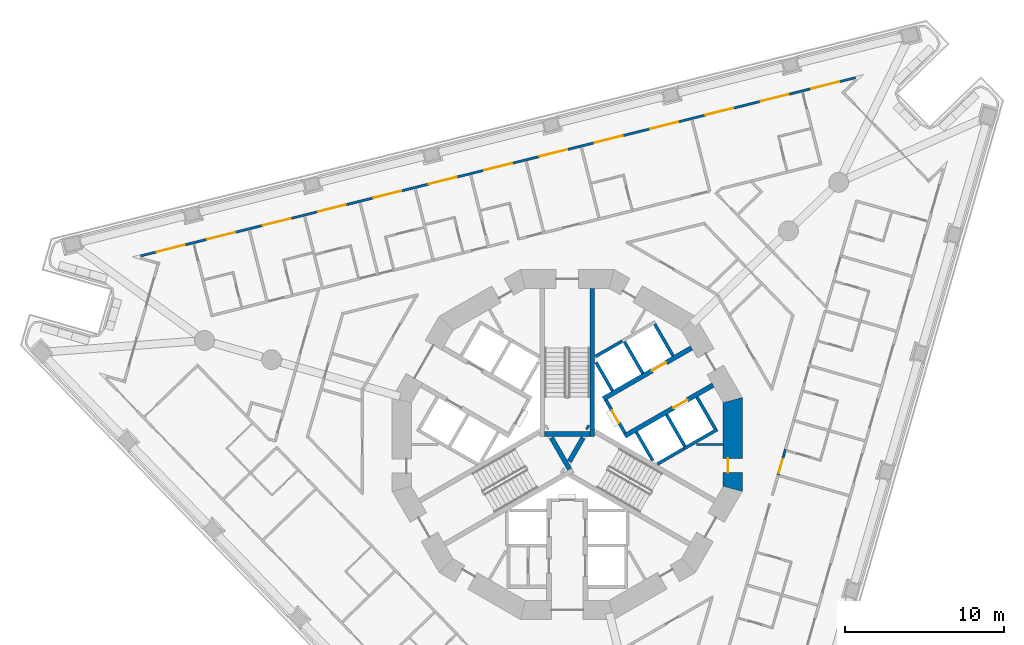
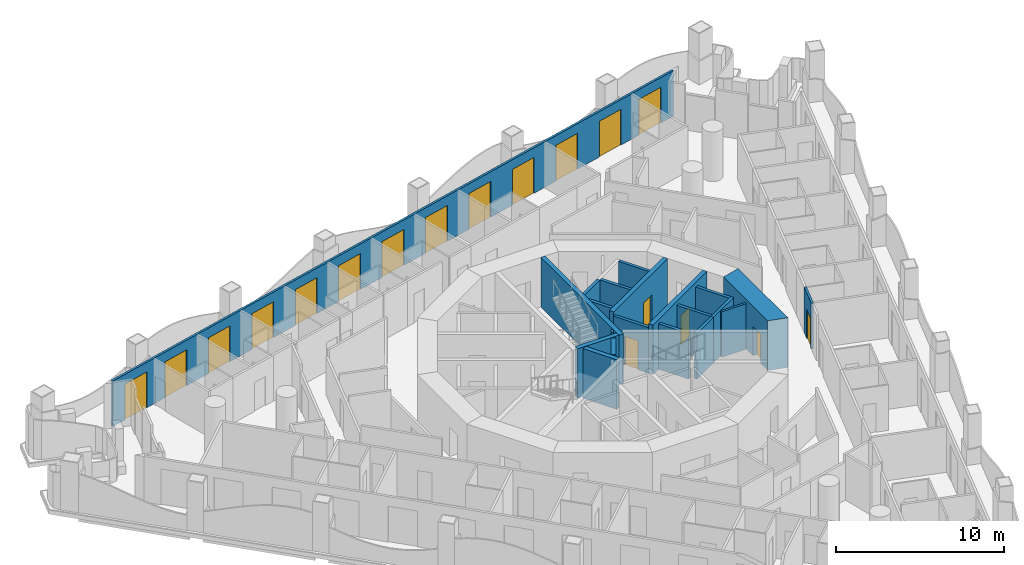
# One storey, part 9 of 20: 21 walls, 18 doors, 18 openings.
"""IFC4 building model written with IfcOpenShell, lengths in metres."""

from ifc_helpers import new_model, si_unit, direction, frame, frame_2d, origin, place, context, subcontext, project, spatial, polyline, rectangle, outline, extrude, material, layer, layer_set, type_object, element, fill, save


model = new_model("IFC4")

# Units and contexts
model_context = context("Model", 3, precision=1e-05, world=origin(), true_north=direction((0.0, 1.0)))
body_context = subcontext(model_context, "Body", "Model", "MODEL_VIEW")
ifc_project = project(units=[si_unit("LENGTHUNIT", "METRE"), si_unit("AREAUNIT", "SQUARE_METRE"), si_unit("VOLUMEUNIT", "CUBIC_METRE"), si_unit("PLANEANGLEUNIT", "RADIAN"), si_unit("MASSUNIT", "GRAM", prefix="KILO")], contexts=[model_context])

# Site, building, storey
site_placement = place(None, origin())
site = spatial("IfcSite", under=ifc_project, at=site_placement, CompositionType="ELEMENT")
building_placement = place(site_placement, origin())
building = spatial("IfcBuilding", under=site, at=building_placement, Name="Trine Commons Tower", CompositionType="ELEMENT")
storey_placement = place(building_placement, frame((0.0, 0.0, 108.89990234375)))
storey = spatial("IfcBuildingStorey", under=building, at=storey_placement, Name="L27", CompositionType="ELEMENT", Elevation=108.89990234375)

# Wall
ifc_material_1 = material(Name="Plasterboard partition on steel studs", Category="steel")
ifc_layer_1 = layer(ifc_material_1, 0.14990234375)
ifc_layer_set_1 = layer_set([ifc_layer_1], Name="Plasterboard partition on steel studs")
wall_type_1 = type_object("IfcWallType", Name="Core room partition 150 mm, EI 60", PredefinedType="PARTITIONING", material=ifc_layer_set_1)
wall_1_placement = place(storey_placement, frame((89.81201171875, 62.5, 0.0), z_axis=(0.0, 0.0, 1.0), x_axis=(-1.0, 0.0, 0.0)))
element("IfcWall", 1, at=wall_1_placement, inside=storey, type_object=wall_type_1, Name="Core room partition L27", PredefinedType="PARTITIONING", context=body_context, shape_type="SweptSolid", body=[
    extrude(rectangle(XDim=1.68310546875, YDim=0.14990234375, at=frame_2d((0.841552734375, 0.0))), origin(), (0.0, 0.0, 1.0), 3.300048828125),
])

# Wall, openings, doors
ifc_material_2 = material(Name="Aluminium-framed insulated wall panel", Category="aluminium")
ifc_layer_2 = layer(ifc_material_2, 0.14990234375)
ifc_layer_set_2 = layer_set([ifc_layer_2], Name="Aluminium-framed insulated wall panel")
wall_type_2 = type_object("IfcWallType", Name="Glazed frame wall 150, EI 60", PredefinedType="SOLIDWALL", material=ifc_layer_set_2)
wall_2_placement = place(storey_placement, frame((53.01416015625, 74.326904296875, 0.0), z_axis=(0.0, 0.0, 1.0), x_axis=(0.970295935704, 0.24192105563, 0.0)))
wall_2 = element("IfcWall", 2, at=wall_2_placement, inside=storey, type_object=wall_type_2, Name="Glazed frame wall F1", PredefinedType="SOLIDWALL", context=body_context, shape_type="SweptSolid", body=[
    extrude(outline(polyline([(0.1494140625, 0.074951171875), (0.1494140625, -0.074951171875), (46.496826171875, -0.074951171875), (46.496826171875, 0.074951171875), (0.1494140625, 0.074951171875)])), origin(), (0.0, 0.0, 1.0), 3.300048828125),
])
opening_1_placement = place(wall_2_placement, frame((1.194091796875, 0.0, 0.0)))
opening_1 = element("IfcOpeningElement", 3, at=opening_1_placement, cuts=wall_2, Name="Opening BD-3F1-01", PredefinedType="OPENING", context=body_context, shape_type="SweptSolid", body=[
    extrude(rectangle(XDim=1.800048828125, YDim=2.60009765625, at=frame_2d((0.89990234375, 1.300048828125))), frame((0.0, 0.0849609375, 0.0), z_axis=(0.0, -1.0, 0.0), x_axis=(1.0, 0.0, 0.0)), (0.0, 0.0, 1.0), 0.169921875),
])
opening_2_placement = place(wall_2_placement, frame((4.482421875, 0.0, 0.0)))
opening_2 = element("IfcOpeningElement", 4, at=opening_2_placement, cuts=wall_2, Name="Opening BD-3F1-02", PredefinedType="OPENING", context=body_context, shape_type="SweptSolid", body=[
    extrude(rectangle(XDim=1.800048828125, YDim=2.60009765625, at=frame_2d((0.89990234375, 1.300048828125))), frame((0.0, 0.0849609375, 0.0), z_axis=(0.0, -1.0, 0.0), x_axis=(1.0, 0.0, 0.0)), (0.0, 0.0, 1.0), 0.169921875),
])
opening_3_placement = place(wall_2_placement, frame((8.070556640625, 0.0, 0.0)))
opening_3 = element("IfcOpeningElement", 5, at=opening_3_placement, cuts=wall_2, Name="Opening BD-3F1-03", PredefinedType="OPENING", context=body_context, shape_type="SweptSolid", body=[
    extrude(rectangle(XDim=1.800048828125, YDim=2.60009765625, at=frame_2d((0.89990234375, 1.300048828125))), frame((0.0, 0.0849609375, 0.0), z_axis=(0.0, -1.0, 0.0), x_axis=(1.0, 0.0, 0.0)), (0.0, 0.0, 1.0), 0.169921875),
])
opening_4_placement = place(wall_2_placement, frame((11.65869140625, 0.0, 0.0)))
opening_4 = element("IfcOpeningElement", 6, at=opening_4_placement, cuts=wall_2, Name="Opening BD-3F1-04", PredefinedType="OPENING", context=body_context, shape_type="SweptSolid", body=[
    extrude(rectangle(XDim=1.800048828125, YDim=2.60009765625, at=frame_2d((0.89990234375, 1.300048828125))), frame((0.0, 0.0849609375, 0.0), z_axis=(0.0, -1.0, 0.0), x_axis=(1.0, 0.0, 0.0)), (0.0, 0.0, 1.0), 0.169921875),
])
opening_5_placement = place(wall_2_placement, frame((15.246826171875, 0.0, 0.0)))
opening_5 = element("IfcOpeningElement", 7, at=opening_5_placement, cuts=wall_2, Name="Opening BD-3F1-05", PredefinedType="OPENING", context=body_context, shape_type="SweptSolid", body=[
    extrude(rectangle(XDim=1.800048828125, YDim=2.60009765625, at=frame_2d((0.89990234375, 1.300048828125))), frame((0.0, 0.0849609375, 0.0), z_axis=(0.0, -1.0, 0.0), x_axis=(1.0, 0.0, 0.0)), (0.0, 0.0, 1.0), 0.169921875),
])
opening_6_placement = place(wall_2_placement, frame((18.835205078125, 0.0, 0.0)))
opening_6 = element("IfcOpeningElement", 8, at=opening_6_placement, cuts=wall_2, Name="Opening BD-3F1-06", PredefinedType="OPENING", context=body_context, shape_type="SweptSolid", body=[
    extrude(rectangle(XDim=1.800048828125, YDim=2.60009765625, at=frame_2d((0.89990234375, 1.300048828125))), frame((0.0, 0.0849609375, 0.0), z_axis=(0.0, -1.0, 0.0), x_axis=(1.0, 0.0, 0.0)), (0.0, 0.0, 1.0), 0.169921875),
])
opening_7_placement = place(wall_2_placement, frame((22.42333984375, 0.0, 0.0)))
opening_7 = element("IfcOpeningElement", 9, at=opening_7_placement, cuts=wall_2, Name="Opening BD-3F1-07", PredefinedType="OPENING", context=body_context, shape_type="SweptSolid", body=[
    extrude(rectangle(XDim=1.800048828125, YDim=2.60009765625, at=frame_2d((0.89990234375, 1.300048828125))), frame((0.0, 0.0849609375, 0.0), z_axis=(0.0, -1.0, 0.0), x_axis=(1.0, 0.0, 0.0)), (0.0, 0.0, 1.0), 0.169921875),
])
opening_8_placement = place(wall_2_placement, frame((26.011474609375, 0.0, 0.0)))
opening_8 = element("IfcOpeningElement", 10, at=opening_8_placement, cuts=wall_2, Name="Opening BD-3F1-08", PredefinedType="OPENING", context=body_context, shape_type="SweptSolid", body=[
    extrude(rectangle(XDim=1.800048828125, YDim=2.60009765625, at=frame_2d((0.89990234375, 1.300048828125))), frame((0.0, 0.0849609375, 0.0), z_axis=(0.0, -1.0, 0.0), x_axis=(1.0, 0.0, 0.0)), (0.0, 0.0, 1.0), 0.169921875),
])
opening_9_placement = place(wall_2_placement, frame((29.599609375, 0.0, 0.0)))
opening_9 = element("IfcOpeningElement", 11, at=opening_9_placement, cuts=wall_2, Name="Opening BD-3F1-09", PredefinedType="OPENING", context=body_context, shape_type="SweptSolid", body=[
    extrude(rectangle(XDim=1.800048828125, YDim=2.60009765625, at=frame_2d((0.89990234375, 1.300048828125))), frame((0.0, 0.0849609375, 0.0), z_axis=(0.0, -1.0, 0.0), x_axis=(1.0, 0.0, 0.0)), (0.0, 0.0, 1.0), 0.169921875),
])
opening_10_placement = place(wall_2_placement, frame((33.18798828125, 0.0, 0.0)))
opening_10 = element("IfcOpeningElement", 12, at=opening_10_placement, cuts=wall_2, Name="Opening BD-3F1-10", PredefinedType="OPENING", context=body_context, shape_type="SweptSolid", body=[
    extrude(rectangle(XDim=1.800048828125, YDim=2.60009765625, at=frame_2d((0.89990234375, 1.300048828125))), frame((0.0, 0.0849609375, 0.0), z_axis=(0.0, -1.0, 0.0), x_axis=(1.0, 0.0, 0.0)), (0.0, 0.0, 1.0), 0.169921875),
])
opening_11_placement = place(wall_2_placement, frame((36.776123046875, 0.0, 0.0)))
opening_11 = element("IfcOpeningElement", 13, at=opening_11_placement, cuts=wall_2, Name="Opening BD-3F1-11", PredefinedType="OPENING", context=body_context, shape_type="SweptSolid", body=[
    extrude(rectangle(XDim=1.800048828125, YDim=2.60009765625, at=frame_2d((0.89990234375, 1.300048828125))), frame((0.0, 0.0849609375, 0.0), z_axis=(0.0, -1.0, 0.0), x_axis=(1.0, 0.0, 0.0)), (0.0, 0.0, 1.0), 0.169921875),
])
opening_12_placement = place(wall_2_placement, frame((40.3642578125, 0.0, 0.0)))
opening_12 = element("IfcOpeningElement", 14, at=opening_12_placement, cuts=wall_2, Name="Opening BD-3F1-12", PredefinedType="OPENING", context=body_context, shape_type="SweptSolid", body=[
    extrude(rectangle(XDim=1.800048828125, YDim=2.60009765625, at=frame_2d((0.89990234375, 1.300048828125))), frame((0.0, 0.0849609375, 0.0), z_axis=(0.0, -1.0, 0.0), x_axis=(1.0, 0.0, 0.0)), (0.0, 0.0, 1.0), 0.169921875),
])
opening_13_placement = place(wall_2_placement, frame((43.652587890625, 0.0, 0.0)))
opening_13 = element("IfcOpeningElement", 15, at=opening_13_placement, cuts=wall_2, Name="Opening BD-3F1-13", PredefinedType="OPENING", context=body_context, shape_type="SweptSolid", body=[
    extrude(rectangle(XDim=1.800048828125, YDim=2.60009765625, at=frame_2d((0.89990234375, 1.300048828125))), frame((0.0, 0.0849609375, 0.0), z_axis=(0.0, -1.0, 0.0), x_axis=(1.0, 0.0, 0.0)), (0.0, 0.0, 1.0), 0.169921875),
])
ifc_material_3 = material(Name="Anodised aluminium frame with double glazing", Category="aluminium")
door_type_1 = type_object("IfcDoorType", Name="Sliding loggia door 1800x2600", OperationType="SLIDING_TO_LEFT", PredefinedType="DOOR", material=ifc_material_3)
door_1_placement = place(opening_1_placement, origin())
door_1 = element("IfcDoor", 16, at=door_1_placement, inside=storey, type_object=door_type_1, Name="Loggia door F1 1", OperationType="SLIDING_TO_LEFT", OverallHeight=2.60009765625, OverallWidth=1.800048828125, PredefinedType="DOOR", context=body_context, shape_type="SweptSolid", body=[
    extrude(rectangle(XDim=1.800048828125, YDim=2.60009765625, at=frame_2d((0.89990234375, 1.300048828125))), frame((0.0, 0.02490234375, 0.0), z_axis=(0.0, -1.0, 0.0), x_axis=(1.0, 0.0, 0.0)), (0.0, 0.0, 1.0), 0.050048828125),
])
fill(opening_1, door_1)
door_2_placement = place(opening_2_placement, origin())
door_2 = element("IfcDoor", 17, at=door_2_placement, inside=storey, type_object=door_type_1, Name="Loggia door F1 2", OperationType="SLIDING_TO_LEFT", OverallHeight=2.60009765625, OverallWidth=1.800048828125, PredefinedType="DOOR", context=body_context, shape_type="SweptSolid", body=[
    extrude(rectangle(XDim=1.800048828125, YDim=2.60009765625, at=frame_2d((0.89990234375, 1.300048828125))), frame((0.0, 0.02490234375, 0.0), z_axis=(0.0, -1.0, 0.0), x_axis=(1.0, 0.0, 0.0)), (0.0, 0.0, 1.0), 0.050048828125),
])
fill(opening_2, door_2)
door_3_placement = place(opening_3_placement, origin())
door_3 = element("IfcDoor", 18, at=door_3_placement, inside=storey, type_object=door_type_1, Name="Loggia door F1 3", OperationType="SLIDING_TO_LEFT", OverallHeight=2.60009765625, OverallWidth=1.800048828125, PredefinedType="DOOR", context=body_context, shape_type="SweptSolid", body=[
    extrude(rectangle(XDim=1.800048828125, YDim=2.60009765625, at=frame_2d((0.89990234375, 1.300048828125))), frame((0.0, 0.02490234375, 0.0), z_axis=(0.0, -1.0, 0.0), x_axis=(1.0, 0.0, 0.0)), (0.0, 0.0, 1.0), 0.050048828125),
])
fill(opening_3, door_3)
door_4_placement = place(opening_4_placement, origin())
door_4 = element("IfcDoor", 19, at=door_4_placement, inside=storey, type_object=door_type_1, Name="Loggia door F1 4", OperationType="SLIDING_TO_LEFT", OverallHeight=2.60009765625, OverallWidth=1.800048828125, PredefinedType="DOOR", context=body_context, shape_type="SweptSolid", body=[
    extrude(rectangle(XDim=1.800048828125, YDim=2.60009765625, at=frame_2d((0.89990234375, 1.300048828125))), frame((0.0, 0.02490234375, 0.0), z_axis=(0.0, -1.0, 0.0), x_axis=(1.0, 0.0, 0.0)), (0.0, 0.0, 1.0), 0.050048828125),
])
fill(opening_4, door_4)
door_5_placement = place(opening_5_placement, origin())
door_5 = element("IfcDoor", 20, at=door_5_placement, inside=storey, type_object=door_type_1, Name="Loggia door F1 5", OperationType="SLIDING_TO_LEFT", OverallHeight=2.60009765625, OverallWidth=1.800048828125, PredefinedType="DOOR", context=body_context, shape_type="SweptSolid", body=[
    extrude(rectangle(XDim=1.800048828125, YDim=2.60009765625, at=frame_2d((0.89990234375, 1.300048828125))), frame((0.0, 0.02490234375, 0.0), z_axis=(0.0, -1.0, 0.0), x_axis=(1.0, 0.0, 0.0)), (0.0, 0.0, 1.0), 0.050048828125),
])
fill(opening_5, door_5)
door_6_placement = place(opening_6_placement, origin())
door_6 = element("IfcDoor", 21, at=door_6_placement, inside=storey, type_object=door_type_1, Name="Loggia door F1 6", OperationType="SLIDING_TO_LEFT", OverallHeight=2.60009765625, OverallWidth=1.800048828125, PredefinedType="DOOR", context=body_context, shape_type="SweptSolid", body=[
    extrude(rectangle(XDim=1.800048828125, YDim=2.60009765625, at=frame_2d((0.89990234375, 1.300048828125))), frame((0.0, 0.02490234375, 0.0), z_axis=(0.0, -1.0, 0.0), x_axis=(1.0, 0.0, 0.0)), (0.0, 0.0, 1.0), 0.050048828125),
])
fill(opening_6, door_6)
door_7_placement = place(opening_7_placement, origin())
door_7 = element("IfcDoor", 22, at=door_7_placement, inside=storey, type_object=door_type_1, Name="Loggia door F1 7", OperationType="SLIDING_TO_LEFT", OverallHeight=2.60009765625, OverallWidth=1.800048828125, PredefinedType="DOOR", context=body_context, shape_type="SweptSolid", body=[
    extrude(rectangle(XDim=1.800048828125, YDim=2.60009765625, at=frame_2d((0.89990234375, 1.300048828125))), frame((0.0, 0.02490234375, 0.0), z_axis=(0.0, -1.0, 0.0), x_axis=(1.0, 0.0, 0.0)), (0.0, 0.0, 1.0), 0.050048828125),
])
fill(opening_7, door_7)
door_8_placement = place(opening_8_placement, origin())
door_8 = element("IfcDoor", 23, at=door_8_placement, inside=storey, type_object=door_type_1, Name="Loggia door F1 8", OperationType="SLIDING_TO_LEFT", OverallHeight=2.60009765625, OverallWidth=1.800048828125, PredefinedType="DOOR", context=body_context, shape_type="SweptSolid", body=[
    extrude(rectangle(XDim=1.800048828125, YDim=2.60009765625, at=frame_2d((0.89990234375, 1.300048828125))), frame((0.0, 0.02490234375, 0.0), z_axis=(0.0, -1.0, 0.0), x_axis=(1.0, 0.0, 0.0)), (0.0, 0.0, 1.0), 0.050048828125),
])
fill(opening_8, door_8)
door_9_placement = place(opening_9_placement, origin())
door_9 = element("IfcDoor", 24, at=door_9_placement, inside=storey, type_object=door_type_1, Name="Loggia door F1 9", OperationType="SLIDING_TO_LEFT", OverallHeight=2.60009765625, OverallWidth=1.800048828125, PredefinedType="DOOR", context=body_context, shape_type="SweptSolid", body=[
    extrude(rectangle(XDim=1.800048828125, YDim=2.60009765625, at=frame_2d((0.89990234375, 1.300048828125))), frame((0.0, 0.02490234375, 0.0), z_axis=(0.0, -1.0, 0.0), x_axis=(1.0, 0.0, 0.0)), (0.0, 0.0, 1.0), 0.050048828125),
])
fill(opening_9, door_9)
door_10_placement = place(opening_10_placement, origin())
door_10 = element("IfcDoor", 25, at=door_10_placement, inside=storey, type_object=door_type_1, Name="Loggia door F1 10", OperationType="SLIDING_TO_LEFT", OverallHeight=2.60009765625, OverallWidth=1.800048828125, PredefinedType="DOOR", context=body_context, shape_type="SweptSolid", body=[
    extrude(rectangle(XDim=1.800048828125, YDim=2.60009765625, at=frame_2d((0.89990234375, 1.300048828125))), frame((0.0, 0.02490234375, 0.0), z_axis=(0.0, -1.0, 0.0), x_axis=(1.0, 0.0, 0.0)), (0.0, 0.0, 1.0), 0.050048828125),
])
fill(opening_10, door_10)
door_11_placement = place(opening_11_placement, origin())
door_11 = element("IfcDoor", 26, at=door_11_placement, inside=storey, type_object=door_type_1, Name="Loggia door F1 11", OperationType="SLIDING_TO_LEFT", OverallHeight=2.60009765625, OverallWidth=1.800048828125, PredefinedType="DOOR", context=body_context, shape_type="SweptSolid", body=[
    extrude(rectangle(XDim=1.800048828125, YDim=2.60009765625, at=frame_2d((0.89990234375, 1.300048828125))), frame((0.0, 0.02490234375, 0.0), z_axis=(0.0, -1.0, 0.0), x_axis=(1.0, 0.0, 0.0)), (0.0, 0.0, 1.0), 0.050048828125),
])
fill(opening_11, door_11)
door_12_placement = place(opening_12_placement, origin())
door_12 = element("IfcDoor", 27, at=door_12_placement, inside=storey, type_object=door_type_1, Name="Loggia door F1 12", OperationType="SLIDING_TO_LEFT", OverallHeight=2.60009765625, OverallWidth=1.800048828125, PredefinedType="DOOR", context=body_context, shape_type="SweptSolid", body=[
    extrude(rectangle(XDim=1.800048828125, YDim=2.60009765625, at=frame_2d((0.89990234375, 1.300048828125))), frame((0.0, 0.02490234375, 0.0), z_axis=(0.0, -1.0, 0.0), x_axis=(1.0, 0.0, 0.0)), (0.0, 0.0, 1.0), 0.050048828125),
])
fill(opening_12, door_12)
door_13_placement = place(opening_13_placement, origin())
door_13 = element("IfcDoor", 28, at=door_13_placement, inside=storey, type_object=door_type_1, Name="Loggia door F1 13", OperationType="SLIDING_TO_LEFT", OverallHeight=2.60009765625, OverallWidth=1.800048828125, PredefinedType="DOOR", context=body_context, shape_type="SweptSolid", body=[
    extrude(rectangle(XDim=1.800048828125, YDim=2.60009765625, at=frame_2d((0.89990234375, 1.300048828125))), frame((0.0, 0.02490234375, 0.0), z_axis=(0.0, -1.0, 0.0), x_axis=(1.0, 0.0, 0.0)), (0.0, 0.0, 1.0), 0.050048828125),
])
fill(opening_13, door_13)

# Wall, opening, door
ifc_material_4 = material(Name="Fire-rated gypsum shaft wall system")
ifc_layer_3 = layer(ifc_material_4, 0.199951171875)
ifc_layer_set_3 = layer_set([ifc_layer_3], Name="Fire-rated gypsum shaft wall system")
wall_type_3 = type_object("IfcWallType", Name="Lobby end wall 200 mm, EI 120", PredefinedType="PARTITIONING", material=ifc_layer_set_3)
wall_3_placement = place(storey_placement, frame((83.631103515625, 63.2109375, 0.0), z_axis=(0.0, 0.0, 1.0), x_axis=(-0.50012165622, 0.865955154139, 0.0)))
wall_3 = element("IfcWall", 29, at=wall_3_placement, inside=storey, type_object=wall_type_3, Name="Lobby end wall L27", PredefinedType="PARTITIONING", context=body_context, shape_type="SweptSolid", body=[
    extrude(rectangle(XDim=2.39990234375, YDim=0.199951171875, at=frame_2d((1.199951171875, 0.0))), origin(), (0.0, 0.0, 1.0), 3.300048828125),
])
opening_14_placement = place(wall_3_placement, frame((0.749755859375, 0.0, 0.0)))
opening_14 = element("IfcOpeningElement", 30, at=opening_14_placement, cuts=wall_3, Name="Opening K06.05", PredefinedType="OPENING", context=body_context, shape_type="SweptSolid", body=[
    extrude(rectangle(XDim=0.89990234375, YDim=2.10009765625, at=frame_2d((0.449951171875, 1.050048828125))), frame((0.0, 0.10986328125, 0.0), z_axis=(0.0, -1.0, 0.0), x_axis=(1.0, 0.0, 0.0)), (0.0, 0.0, 1.0), 0.219970703125),
])
ifc_material_5 = material(Name="Steel door leaf, fire-rated", Category="steel")
door_type_2 = type_object("IfcDoorType", Name="Riser access door, single leaf 900 x 2100, FD60", OperationType="SINGLE_SWING_LEFT", PredefinedType="DOOR", material=ifc_material_5)
door_14_placement = place(opening_14_placement, frame((0.89990234375, 0.0, 0.0), z_axis=(0.0, 0.0, 1.0), x_axis=(-1.0, 0.0, 0.0)))
door_14 = element("IfcDoor", 31, at=door_14_placement, inside=storey, type_object=door_type_2, Name="Riser door, Electrical riser L27", OperationType="SINGLE_SWING_LEFT", OverallHeight=2.10009765625, OverallWidth=0.89990234375, PredefinedType="DOOR", context=body_context, shape_type="SweptSolid", body=[
    extrude(rectangle(XDim=0.89990234375, YDim=2.10009765625, at=frame_2d((0.449951171875, 1.050048828125))), frame((0.0, 0.02490234375, 0.0), z_axis=(0.0, -1.0, 0.0), x_axis=(1.0, 0.0, 0.0)), (0.0, 0.0, 1.0), 0.050048828125),
])
fill(opening_14, door_14)

ifc_material_6 = material(Name="Concrete C70/85", Category="concrete")
ifc_layer_4 = layer(ifc_material_6, 1.199951171875)
ifc_layer_set_4 = layer_set([ifc_layer_4], Name="Concrete C70/85")
wall_type_4 = type_object("IfcWallType", Name="RC shear wall 1200 mm, C70/85", PredefinedType="SHEAR", material=ifc_layer_set_4)
wall_4_placement = place(storey_placement, frame((90.41162109375, 59.549560546875, 0.0), z_axis=(0.0, 0.0, 1.0), x_axis=(0.0, 1.0, 0.0)))
wall_4 = element("IfcWall", 32, at=wall_4_placement, inside=storey, type_object=wall_type_4, Name="Core wall CWC-01 L27", PredefinedType="SHEAR", context=body_context, shape_type="SweptSolid", body=[
    extrude(outline(polyline([(0.0, -0.60009765625), (5.90087890625, -0.60009765625), (5.57958984375, 0.60009765625), (0.321533203125, 0.60009765625), (0.0, -0.60009765625)])), origin(), (0.0, 0.0, 1.0), 3.60009765625),
])
opening_15_placement = place(wall_4_placement, frame((1.175537109375, 0.0, 0.0)))
opening_15 = element("IfcOpeningElement", 33, at=opening_15_placement, cuts=wall_4, Name="Opening K06.17", PredefinedType="OPENING", context=body_context, shape_type="SweptSolid", body=[
    extrude(rectangle(XDim=0.89990234375, YDim=2.10009765625, at=frame_2d((0.449951171875, 1.050048828125))), frame((0.0, 0.60986328125, 0.0), z_axis=(0.0, -1.0, 0.0), x_axis=(1.0, 0.0, 0.0)), (0.0, 0.0, 1.0), 1.219970703125),
])
door_type_3 = type_object("IfcDoorType", Name="Core room door, single leaf 900 x 2100, FD30S", OperationType="SINGLE_SWING_LEFT", PredefinedType="DOOR", material=ifc_material_5)
door_15_placement = place(opening_15_placement, origin())
door_15 = element("IfcDoor", 34, at=door_15_placement, inside=storey, type_object=door_type_3, Name="Door to Linen store L27", OperationType="SINGLE_SWING_LEFT", OverallHeight=2.10009765625, OverallWidth=0.89990234375, PredefinedType="DOOR", context=body_context, shape_type="SweptSolid", body=[
    extrude(rectangle(XDim=0.89990234375, YDim=2.10009765625, at=frame_2d((0.449951171875, 1.050048828125))), frame((0.0, 0.3251953125, 0.0), z_axis=(0.0, -1.0, 0.0), x_axis=(1.0, 0.0, 0.0)), (0.0, 0.0, 1.0), 0.050048828125),
])
fill(opening_15, door_15)

ifc_layer_5 = layer(ifc_material_6, 0.300048828125)
ifc_layer_set_5 = layer_set([ifc_layer_5], Name="Concrete C70/85")
wall_type_5 = type_object("IfcWallType", Name="RC shear wall 300 mm, C70/85", PredefinedType="SHEAR", material=ifc_layer_set_5)
wall_5_placement = place(storey_placement, frame((82.26904296875, 65.368896484375, 0.0), z_axis=(0.0, 0.0, 1.0), x_axis=(0.866022631842, 0.500004801114, 0.0)))
wall_5 = element("IfcWall", 35, at=wall_5_placement, inside=storey, type_object=wall_type_5, Name="Core cross wall SWA-05 L27", PredefinedType="SHEAR", context=body_context, shape_type="SweptSolid", body=[
    extrude(rectangle(XDim=6.412109375, YDim=0.300048828125, at=frame_2d((3.2060546875, 0.0))), origin(), (0.0, 0.0, 1.0), 3.60009765625),
])
opening_16_placement = place(wall_5_placement, frame((3.55029296875, 0.0, 0.0)))
opening_16 = element("IfcOpeningElement", 36, at=opening_16_placement, cuts=wall_5, Name="Opening LD1", PredefinedType="OPENING", context=body_context, shape_type="SweptSolid", body=[
    extrude(rectangle(XDim=1.0, YDim=2.10009765625, at=frame_2d((0.5, 1.050048828125))), frame((0.0, 0.159912109375, 0.0), z_axis=(0.0, -1.0, 0.0), x_axis=(1.0, 0.0, 0.0)), (0.0, 0.0, 1.0), 0.320068359375),
])
ifc_material_7 = material(Name="Stainless steel sliding door leaves", Category="steel")
door_type_4 = type_object("IfcDoorType", Name="Lift landing door, centre-opening sliding 1000 x 2100, FD90", OperationType="DOUBLE_DOOR_SLIDING", PredefinedType="DOOR", material=ifc_material_7)
door_16_placement = place(opening_16_placement, origin())
door_16 = element("IfcDoor", 37, at=door_16_placement, inside=storey, type_object=door_type_4, Name="Lift landing door LR1 L27", OperationType="DOUBLE_DOOR_SLIDING", OverallHeight=2.10009765625, OverallWidth=1.0, PredefinedType="DOOR", context=body_context, shape_type="SweptSolid", body=[
    extrude(rectangle(XDim=1.0, YDim=2.10009765625, at=frame_2d((0.5, 1.050048828125))), frame((0.0, 0.02490234375, 0.0), z_axis=(0.0, -1.0, 0.0), x_axis=(1.0, 0.0, 0.0)), (0.0, 0.0, 1.0), 0.050048828125),
])
fill(opening_16, door_16)

wall_6_placement = place(storey_placement, frame((83.618896484375, 63.031005859375, 0.0), z_axis=(0.0, 0.0, 1.0), x_axis=(0.866032150378, 0.499988314375, 0.0)))
wall_6 = element("IfcWall", 38, at=wall_6_placement, inside=storey, type_object=wall_type_5, Name="Core cross wall SWA-06 L27", PredefinedType="SHEAR", context=body_context, shape_type="SweptSolid", body=[
    extrude(rectangle(XDim=6.412353515625, YDim=0.300048828125, at=frame_2d((3.2060546875, 0.0))), origin(), (0.0, 0.0, 1.0), 3.60009765625),
])
opening_17_placement = place(wall_6_placement, frame((3.55029296875, 0.0, 0.0)))
opening_17 = element("IfcOpeningElement", 39, at=opening_17_placement, cuts=wall_6, Name="Opening LD2", PredefinedType="OPENING", context=body_context, shape_type="SweptSolid", body=[
    extrude(rectangle(XDim=1.0, YDim=2.10009765625, at=frame_2d((0.5, 1.050048828125))), frame((0.0, 0.159912109375, 0.0), z_axis=(0.0, -1.0, 0.0), x_axis=(1.0, 0.0, 0.0)), (0.0, 0.0, 1.0), 0.320068359375),
])
door_17_placement = place(opening_17_placement, origin())
door_17 = element("IfcDoor", 40, at=door_17_placement, inside=storey, type_object=door_type_4, Name="Lift landing door LR2 L27", OperationType="DOUBLE_DOOR_SLIDING", OverallHeight=2.10009765625, OverallWidth=1.0, PredefinedType="DOOR", context=body_context, shape_type="SweptSolid", body=[
    extrude(rectangle(XDim=1.0, YDim=2.10009765625, at=frame_2d((0.5, 1.050048828125))), frame((0.0, 0.02490234375, 0.0), z_axis=(0.0, -1.0, 0.0), x_axis=(1.0, 0.0, 0.0)), (0.0, 0.0, 1.0), 0.050048828125),
])
fill(opening_17, door_17)

# Walls
wall_7_placement = place(storey_placement, frame((79.0029296875, 62.926025390625, 0.0), z_axis=(0.0, 0.0, 1.0), x_axis=(0.499965247104, -0.866045467449, 0.0)))
element("IfcWall", 41, at=wall_7_placement, inside=storey, type_object=wall_type_5, Name="Core cross wall SWA-10 L27", PredefinedType="SHEAR", context=body_context, shape_type="SweptSolid", body=[
    extrude(rectangle(XDim=2.292236328125, YDim=0.300048828125, at=frame_2d((1.14599609375, 0.0))), origin(), (0.0, 0.0, 1.0), 3.60009765625),
])
wall_8_placement = place(storey_placement, frame((80.1298828125, 61.424072265625, 0.0), z_axis=(0.0, 0.0, 1.0), x_axis=(0.500014901547, 0.866016800201, 0.0)))
element("IfcWall", 42, at=wall_8_placement, inside=storey, type_object=wall_type_5, Name="Core cross wall SWA-12 L27", PredefinedType="SHEAR", context=body_context, shape_type="SweptSolid", body=[
    extrude(rectangle(XDim=1.734375, YDim=0.300048828125, at=frame_2d((0.8671875, 0.0))), origin(), (0.0, 0.0, 1.0), 3.60009765625),
])
wall_9_placement = place(storey_placement, frame((81.220947265625, 63.614013671875, 0.0), z_axis=(0.0, 0.0, 1.0), x_axis=(0.867737973955, -0.497021939713, 0.0)))
element("IfcWall", 43, at=wall_9_placement, inside=storey, type_object=wall_type_5, Name="Core cross wall SWA-15 L27", PredefinedType="SHEAR", context=body_context, shape_type="SweptSolid", body=[
    extrude(rectangle(XDim=0.14892578125, YDim=0.300048828125, at=frame_2d((0.074462890625, 0.0))), origin(), (0.0, 0.0, 1.0), 3.60009765625),
])
wall_10_placement = place(storey_placement, frame((81.425048828125, 63.15087890625, 0.0), z_axis=(0.0, 0.0, 1.0), x_axis=(-1.0, 0.0, 0.0)))
element("IfcWall", 44, at=wall_10_placement, inside=storey, type_object=wall_type_5, Name="Core cross wall SWA-16 L27", PredefinedType="SHEAR", context=body_context, shape_type="SweptSolid", body=[
    extrude(rectangle(XDim=2.85009765625, YDim=0.300048828125, at=frame_2d((1.425048828125, 0.0))), origin(), (0.0, 0.0, 1.0), 3.60009765625),
])
wall_11_placement = place(storey_placement, frame((81.574951171875, 63.0009765625, 0.0), z_axis=(0.0, 0.0, 1.0), x_axis=(0.0, 1.0, 0.0)))
element("IfcWall", 45, at=wall_11_placement, inside=storey, type_object=wall_type_5, Name="Core cross wall SWA-17 L27", PredefinedType="SHEAR", context=body_context, shape_type="SweptSolid", body=[
    extrude(rectangle(XDim=9.31103515625, YDim=0.300048828125, at=frame_2d((4.655517578125, 0.0))), origin(), (0.0, 0.0, 1.0), 3.60009765625),
])
ifc_layer_6 = layer(ifc_material_4, 0.199951171875)
ifc_layer_set_6 = layer_set([ifc_layer_6], Name="Fire-rated gypsum shaft wall system")
wall_type_6 = type_object("IfcWallType", Name="Shaft wall 200 mm, EI 120", PredefinedType="PARTITIONING", material=ifc_layer_set_6)
wall_12_placement = place(storey_placement, frame((81.77490234375, 68.028076171875, 0.0), z_axis=(0.0, 0.0, 1.0), x_axis=(0.866052014814, 0.499953905513, 0.0)))
element("IfcWall", 46, at=wall_12_placement, inside=storey, type_object=wall_type_6, Name="Shaft wall L27", PredefinedType="PARTITIONING", context=body_context, shape_type="SweptSolid", body=[
    extrude(rectangle(XDim=1.947998046875, YDim=0.199951171875, at=frame_2d((0.97412109375, 0.0))), origin(), (0.0, 0.0, 1.0), 3.300048828125),
])
wall_13_placement = place(storey_placement, frame((82.843994140625, 65.8740234375, 0.0), z_axis=(0.0, 0.0, 1.0), x_axis=(-0.499865770674, 0.866102887253, 0.0)))
element("IfcWall", 47, at=wall_13_placement, inside=storey, type_object=wall_type_6, Name="Shaft wall L27", PredefinedType="PARTITIONING", context=body_context, shape_type="SweptSolid", body=[
    extrude(rectangle(XDim=2.064453125, YDim=0.199951171875, at=frame_2d((1.0322265625, 0.0))), origin(), (0.0, 0.0, 1.0), 3.300048828125),
])
wall_14_placement = place(storey_placement, frame((84.343994140625, 63.27587890625, 0.0), z_axis=(0.0, 0.0, 1.0), x_axis=(0.500271688072, -0.86586848777, 0.0)))
element("IfcWall", 48, at=wall_14_placement, inside=storey, type_object=wall_type_6, Name="Shaft wall L27", PredefinedType="PARTITIONING", context=body_context, shape_type="SweptSolid", body=[
    extrude(rectangle(XDim=2.064697265625, YDim=0.199951171875, at=frame_2d((1.0322265625, 0.0))), origin(), (0.0, 0.0, 1.0), 3.300048828125),
])
wall_15_placement = place(storey_placement, frame((84.7490234375, 66.97412109375, 0.0), z_axis=(0.0, 0.0, 1.0), x_axis=(-0.500136062276, 0.86594683394, 0.0)))
element("IfcWall", 49, at=wall_15_placement, inside=storey, type_object=wall_type_6, Name="Shaft wall L27", PredefinedType="PARTITIONING", context=body_context, shape_type="SweptSolid", body=[
    extrude(rectangle(XDim=2.299072265625, YDim=0.199951171875, at=frame_2d((1.1494140625, 0.0))), origin(), (0.0, 0.0, 1.0), 3.300048828125),
])
wall_16_placement = place(storey_placement, frame((85.675048828125, 61.27294921875, 0.0), z_axis=(0.0, 0.0, 1.0), x_axis=(0.865780634835, 0.500423712812, 0.0)))
element("IfcWall", 50, at=wall_16_placement, inside=storey, type_object=wall_type_6, Name="Shaft wall L27", PredefinedType="PARTITIONING", context=body_context, shape_type="SweptSolid", body=[
    extrude(rectangle(XDim=1.948486328125, YDim=0.199951171875, at=frame_2d((0.97412109375, 0.0))), origin(), (0.0, 0.0, 1.0), 3.300048828125),
])
wall_17_placement = place(storey_placement, frame((86.2490234375, 64.3759765625, 0.0), z_axis=(0.0, 0.0, 1.0), x_axis=(0.500136062276, -0.86594683394, 0.0)))
element("IfcWall", 51, at=wall_17_placement, inside=storey, type_object=wall_type_6, Name="Shaft wall L27", PredefinedType="PARTITIONING", context=body_context, shape_type="SweptSolid", body=[
    extrude(rectangle(XDim=2.299072265625, YDim=0.199951171875, at=frame_2d((1.1494140625, 0.0))), origin(), (0.0, 0.0, 1.0), 3.300048828125),
])
wall_18_placement = place(storey_placement, frame((86.655029296875, 68.073974609375, 0.0), z_axis=(0.0, 0.0, 1.0), x_axis=(-0.500215680983, 0.865900844496, 0.0)))
element("IfcWall", 52, at=wall_18_placement, inside=storey, type_object=wall_type_6, Name="Shaft wall L27", PredefinedType="PARTITIONING", context=body_context, shape_type="SweptSolid", body=[
    extrude(rectangle(XDim=2.29931640625, YDim=0.199951171875, at=frame_2d((1.149658203125, 0.0))), origin(), (0.0, 0.0, 1.0), 3.300048828125),
])
wall_19_placement = place(storey_placement, frame((87.362060546875, 62.248046875, 0.0), z_axis=(0.0, 0.0, 1.0), x_axis=(0.866177122335, 0.499737123639, 0.0)))
element("IfcWall", 53, at=wall_19_placement, inside=storey, type_object=wall_type_6, Name="Shaft wall L27", PredefinedType="PARTITIONING", context=body_context, shape_type="SweptSolid", body=[
    extrude(rectangle(XDim=2.401123046875, YDim=0.199951171875, at=frame_2d((1.20068359375, 0.0))), origin(), (0.0, 0.0, 1.0), 3.300048828125),
])
wall_20_placement = place(storey_placement, frame((88.155029296875, 65.47607421875, 0.0), z_axis=(0.0, 0.0, 1.0), x_axis=(0.500136062276, -0.86594683394, 0.0)))
element("IfcWall", 54, at=wall_20_placement, inside=storey, type_object=wall_type_6, Name="Shaft wall L27", PredefinedType="PARTITIONING", context=body_context, shape_type="SweptSolid", body=[
    extrude(rectangle(XDim=2.299072265625, YDim=0.199951171875, at=frame_2d((1.1494140625, 0.0))), origin(), (0.0, 0.0, 1.0), 3.300048828125),
])

# Wall, opening, door
ifc_material_8 = material(Name="Gypsum plasterboard on steel stud", Category="steel")
ifc_layer_7 = layer(ifc_material_8, 0.14990234375)
ifc_layer_set_7 = layer_set([ifc_layer_7], Name="Gypsum plasterboard on steel stud")
wall_type_7 = type_object("IfcWallType", Name="Unit and corridor wall 150 mm, EI 60", PredefinedType="PARTITIONING", material=ifc_layer_set_7)
wall_21_placement = place(storey_placement, frame((93.240478515625, 60.48779296875, 0.0), z_axis=(0.0, 0.0, 1.0), x_axis=(0.275194545337, 0.961388559437, 0.0)))
wall_21 = element("IfcWall", 55, at=wall_21_placement, inside=storey, type_object=wall_type_7, Name="Partition 130", PredefinedType="PARTITIONING", context=body_context, shape_type="SweptSolid", body=[
    extrude(rectangle(XDim=1.770751953125, YDim=0.14990234375, at=frame_2d((0.88525390625, 0.0))), origin(), (0.0, 0.0, 1.0), 3.300048828125),
])
opening_18_placement = place(wall_21_placement, frame((0.228759765625, 0.0, 0.0)))
opening_18 = element("IfcOpeningElement", 56, at=opening_18_placement, cuts=wall_21, Name="Opening D-3C20", PredefinedType="OPENING", context=body_context, shape_type="SweptSolid", body=[
    extrude(rectangle(XDim=0.89990234375, YDim=2.10009765625, at=frame_2d((0.449951171875, 1.050048828125))), frame((0.0, 0.0849609375, 0.0), z_axis=(0.0, -1.0, 0.0), x_axis=(1.0, 0.0, 0.0)), (0.0, 0.0, 1.0), 0.169921875),
])
ifc_material_9 = material(Name="Timber fire door set", Category="wood")
door_type_5 = type_object("IfcDoorType", Name="Bedroom door 900 x 2100, FD30S", OperationType="NOTDEFINED", PredefinedType="DOOR", material=ifc_material_9)
door_18_placement = place(opening_18_placement, frame((0.89990234375, 0.0, 0.0), z_axis=(0.0, 0.0, 1.0), x_axis=(-1.0, 0.0, 0.0)))
door_18 = element("IfcDoor", 57, at=door_18_placement, inside=storey, type_object=door_type_5, Name="Door D-3C20", OperationType="SINGLE_SWING_RIGHT", OverallHeight=2.10009765625, OverallWidth=0.89990234375, PredefinedType="DOOR", context=body_context, shape_type="SweptSolid", body=[
    extrude(rectangle(XDim=0.89990234375, YDim=2.10009765625, at=frame_2d((0.449951171875, 1.050048828125))), frame((0.0, 0.02490234375, 0.0), z_axis=(0.0, -1.0, 0.0), x_axis=(1.0, 0.0, 0.0)), (0.0, 0.0, 1.0), 0.050048828125),
])
fill(opening_18, door_18)

save(model, "model.ifc")
